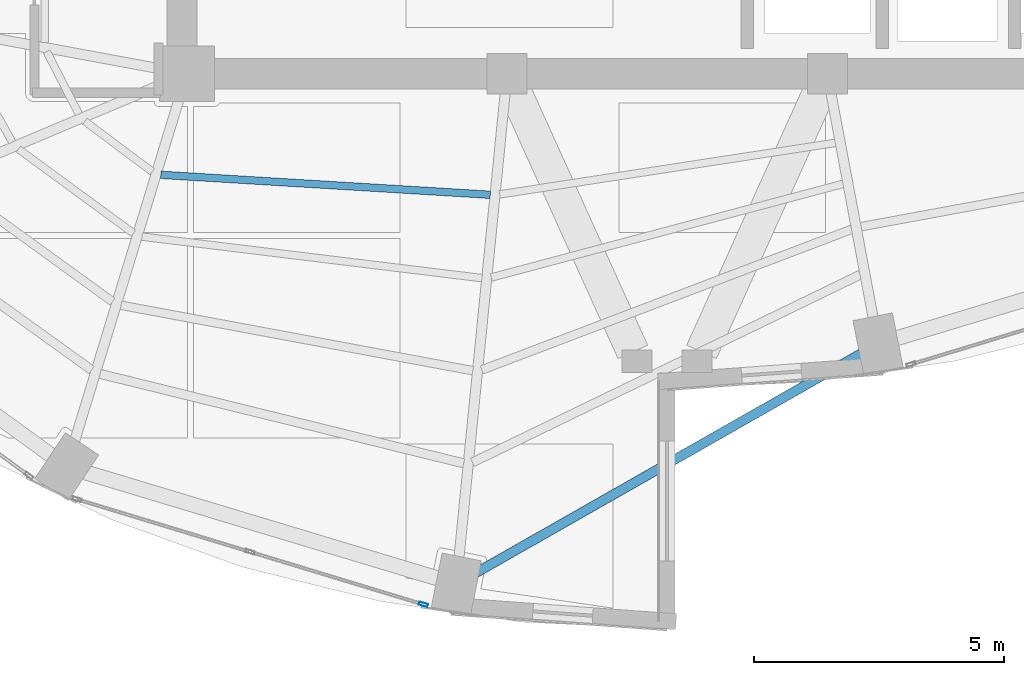
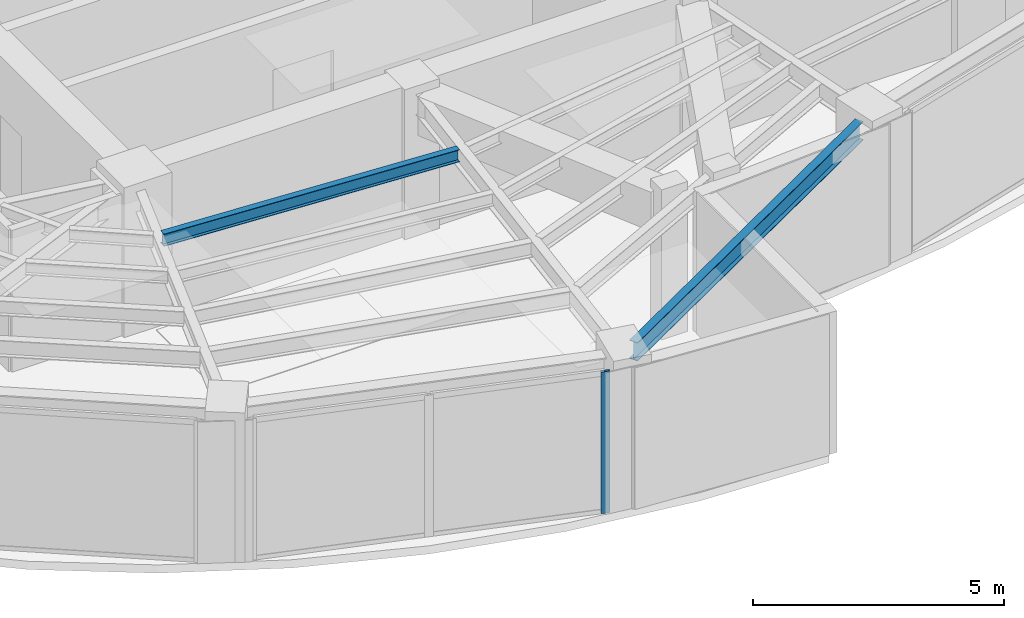
# One storey, part 5 of 23: 2 beams, 1 member, 1 element without a shape of its own.
"""IFC4 building model written with IfcOpenShell, lengths in metres."""

from ifc_helpers import new_model, si_unit, direction, frame, origin, origin_2d, place, context, subcontext, project, spatial, hollow_rectangle, i_section, extrude, material, layer, layer_set, material_profile, profile_set, type_object, element, aggregate, save


model = new_model("IFC4")

# Units and contexts
model_context = context("Model", 3, precision=1e-05, world=origin(), true_north=direction((0.0, 1.0)))
body_context = subcontext(model_context, "Body", "Model", "MODEL_VIEW")
ifc_project = project(units=[si_unit("LENGTHUNIT", "METRE"), si_unit("AREAUNIT", "SQUARE_METRE"), si_unit("VOLUMEUNIT", "CUBIC_METRE"), si_unit("PLANEANGLEUNIT", "RADIAN"), si_unit("MASSUNIT", "GRAM", prefix="KILO")], contexts=[model_context])

# Site, building, storey
site_placement = place(None, origin())
site = spatial("IfcSite", under=ifc_project, at=site_placement, CompositionType="ELEMENT")
building_placement = place(site_placement, origin())
building = spatial("IfcBuilding", under=site, at=building_placement, Name="Lazwardi Medical Tower", CompositionType="ELEMENT")
storey_placement = place(building_placement, frame((0.0, 0.0, 202.1279296875)))
storey = spatial("IfcBuildingStorey", under=building, at=storey_placement, Name="L52", CompositionType="ELEMENT", Elevation=202.1279296875)

# Beams
ifc_material_1 = material(Name="Steel S355", Category="steel")
ifc_material_profile_1 = material_profile(ifc_material_1, i_section(OverallWidth=0.14990234375, OverallDepth=0.300048828125, WebThickness=0.007080078125, FlangeThickness=0.0107421875, at=origin_2d()), Name="IPE 300")
ifc_profile_set_1 = profile_set([ifc_material_profile_1], Name="Steel S355")
beam_type_1 = type_object("IfcBeamType", Name="BM-SJ-03", PredefinedType="JOIST", material=ifc_profile_set_1)
beam_1_placement = place(storey_placement, frame((25.879150390625, 18.3798828125, 3.298095703125), z_axis=(0.998165515862, -0.060544223044, 0.0), x_axis=(0.060544223044, 0.998165515862, 0.0)))
element("IfcBeam", 1, at=beam_1_placement, inside=storey, type_object=beam_type_1, Name="Secondary joist SJ-03 R4 B15 L52", PredefinedType="JOIST", context=body_context, shape_type="SweptSolid", body=[
    extrude(i_section(OverallWidth=0.14990234375, OverallDepth=0.300048828125, WebThickness=0.007080078125, FlangeThickness=0.0107421875, at=origin_2d()), origin(), (0.0, 0.0, 1.0), 6.59716796875),
])
ifc_material_profile_2 = material_profile(ifc_material_1, i_section(OverallWidth=0.18994140625, OverallDepth=0.449951171875, WebThickness=0.009521484375, FlangeThickness=0.0146484375, at=origin_2d()), Name="IPE 450")
ifc_profile_set_2 = profile_set([ifc_material_profile_2], Name="Steel S355")
beam_type_2 = type_object("IfcBeamType", Name="BM-SP-01", PredefinedType="SPANDREL", material=ifc_profile_set_2)
beam_2_placement = place(storey_placement, frame((32.125, 10.394775390625, 3.22314453125), z_axis=(0.868954808466, 0.494891443494, 0.0), x_axis=(-0.494891443494, 0.868954808466, 0.0)))
element("IfcBeam", 2, at=beam_2_placement, inside=storey, type_object=beam_type_2, Name="Spandrel beam SP-01 B16 L52", PredefinedType="SPANDREL", context=body_context, shape_type="SweptSolid", body=[
    extrude(i_section(OverallWidth=0.18994140625, OverallDepth=0.449951171875, WebThickness=0.009521484375, FlangeThickness=0.0146484375, at=origin_2d()), origin(), (0.0, 0.0, 1.0), 8.918701171875),
])

# Curtain wall, member
ifc_material_2 = material(Name="Anodised bronze aluminium and solar control glazing", Category="aluminium")
ifc_layer = layer(ifc_material_2, 0.18994140625)
ifc_layer_set = layer_set([ifc_layer], Name="Anodised bronze aluminium and solar control glazing")
curtain_wall_type = type_object("IfcCurtainWallType", Name="CW-SYS-04", PredefinedType="NOTDEFINED", material=ifc_layer_set)
curtain_wall_placement = place(storey_placement, origin())
curtain_wall = element("IfcCurtainWall", 3, at=curtain_wall_placement, inside=storey, type_object=curtain_wall_type, Name="L52 Unitised bronze curtain wall CW-04", PredefinedType="NOTDEFINED")
ifc_material_3 = material(Name="Anodised bronze aluminium", Category="aluminium")
ifc_material_profile_3 = material_profile(ifc_material_3, hollow_rectangle(XDim=0.06494140625, YDim=0.179931640625, WallThickness=0.00390625, at=origin_2d()), Name="ALU-MULLION 180x65x4")
ifc_profile_set_3 = profile_set([ifc_material_profile_3], Name="Anodised bronze aluminium")
member_type = type_object("IfcMemberType", Name="CW-MUL-03", PredefinedType="MULLION", material=ifc_profile_set_3)
member_placement = place(storey_placement, frame((31.126953125, 9.79296875, 0.0), z_axis=(0.0, 0.0, 1.0), x_axis=(0.290581889515, 0.956850126972, 0.0)))
member = element("IfcMember", 4, at=member_placement, type_object=member_type, Name="CW-04 mullion 3", PredefinedType="MULLION", context=body_context, shape_type="SweptSolid", body=[
    extrude(hollow_rectangle(XDim=0.06494140625, YDim=0.179931640625, WallThickness=0.00390625, at=origin_2d()), origin(), (0.0, 0.0, 1.0), 3.447998046875),
])
aggregate(curtain_wall, [member])

save(model, "model.ifc")
